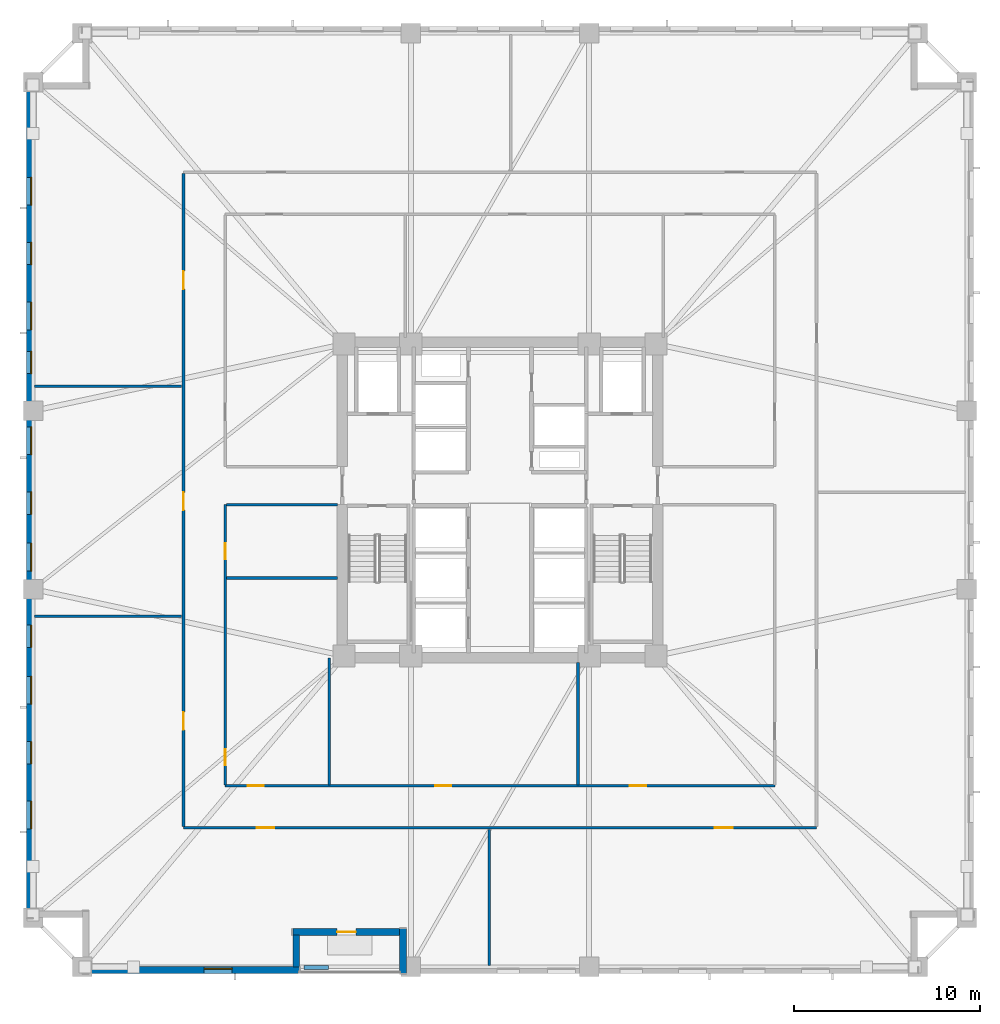
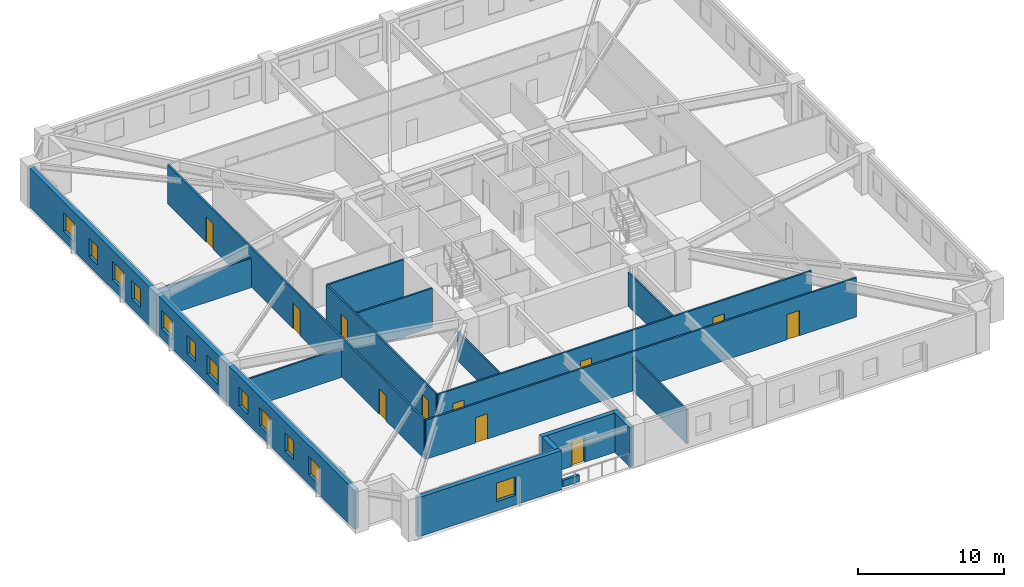
# One storey, part 2 of 10: 17 walls, 12 windows, 11 doors, 23 openings.
"""IFC4 building model written with IfcOpenShell, lengths in metres."""

import ifcopenshell
import ifcopenshell.guid

model = None  # the IFC model being written
_history = None  # IfcOwnerHistory: only IFC2X3 demands one
_inside = {}  # id of a spatial element -> (the spatial element, [elements in it])
_under = {}  # id of a project, library or spatial element -> (it, [spatial elements below it])
_declared = {}  # id of a project -> (the project, [libraries it declares])
_typed = {}  # id of a type object -> (the type object, [elements of that type])
_made_of = {}  # id of a material, layer set ... -> (it, [elements and type objects made of it])


def new_model(schema):
    """Start an empty IFC model of exactly this schema.

    Asked for "IFC4X3", IfcOpenShell would pick the latest addendum, in which some entities
    have other attributes; the version numbers below select the first issue.
    IFC2X3 requires an IfcOwnerHistory on every rooted entity: one is made here for all.
    """
    global model, _history
    if schema == "IFC4X3":
        model = ifcopenshell.file(schema_version=(4, 3, 0, 0))
    else:
        model = ifcopenshell.file(schema=schema)
    _inside.clear()
    _under.clear()
    _declared.clear()
    _typed.clear()
    _made_of.clear()
    _history = None
    if model.schema == "IFC2X3":
        org = make("IfcOrganization", Name="unknown")
        user = make(
            "IfcPersonAndOrganization",
            ThePerson=make("IfcPerson", FamilyName="unknown"),
            TheOrganization=org,
        )
        app = make(
            "IfcApplication",
            ApplicationDeveloper=org,
            Version="unknown",
            ApplicationFullName="unknown",
            ApplicationIdentifier="unknown",
        )
        _history = make(
            "IfcOwnerHistory",
            OwningUser=user,
            OwningApplication=app,
            ChangeAction="ADDED",
            CreationDate=0,
        )
    return model


def make(cls, **values):
    """One entity of the class cls with the attributes given. An attribute that is None is left unset."""
    return model.create_entity(
        cls, **{name: value for name, value in values.items() if value is not None}
    )


def rooted(cls, **values):
    """An entity with a GlobalId (a new one), such as an element, a storey or a relation."""
    return make(cls, GlobalId=ifcopenshell.guid.new(), OwnerHistory=_history, **values)


def si_unit(unit_type, name, prefix=None):
    """IfcSIUnit, for example si_unit("LENGTHUNIT", "METRE", prefix="MILLI")."""
    return make("IfcSIUnit", UnitType=unit_type, Prefix=prefix, Name=name)


def assignment(units):
    """IfcUnitAssignment: the units of a project."""
    return None if units is None else make("IfcUnitAssignment", Units=units)


def point(xyz):
    """IfcCartesianPoint."""
    return None if xyz is None else make("IfcCartesianPoint", Coordinates=xyz)


def direction(xyz):
    """IfcDirection."""
    return None if xyz is None else make("IfcDirection", DirectionRatios=xyz)


def frame(location, z_axis=None, x_axis=None):
    """IfcAxis2Placement3D, a coordinate frame: its origin and axes. An axis left out is left unset."""
    return make(
        "IfcAxis2Placement3D",
        Location=point(location),
        Axis=direction(z_axis),
        RefDirection=direction(x_axis),
    )


def frame_2d(location, x_axis=None):
    """IfcAxis2Placement2D, a coordinate frame in the plane: its origin and x axis."""
    return make(
        "IfcAxis2Placement2D", Location=point(location), RefDirection=direction(x_axis)
    )


def origin():
    """The frame at (0, 0, 0) with its axes left unset."""
    return frame((0.0, 0.0, 0.0))


def place(relative_to, where):
    """IfcLocalPlacement: puts the frame where relative to a parent placement (None: the world)."""
    return make(
        "IfcLocalPlacement", PlacementRelTo=relative_to, RelativePlacement=where
    )


def context(
    kind, dimensions, precision=None, world=None, true_north=None, identifier=None
):
    """IfcGeometricRepresentationContext, for example the 3D "Model" context."""
    return make(
        "IfcGeometricRepresentationContext",
        ContextIdentifier=identifier,
        ContextType=kind,
        CoordinateSpaceDimension=dimensions,
        Precision=precision,
        WorldCoordinateSystem=world,
        TrueNorth=true_north,
    )


def subcontext(parent, identifier, kind, view, scale=None):
    """IfcGeometricRepresentationSubContext, for example "Body" below "Model"."""
    return make(
        "IfcGeometricRepresentationSubContext",
        ContextIdentifier=identifier,
        ContextType=kind,
        ParentContext=parent,
        TargetScale=scale,
        TargetView=view,
    )


def project(units=None, contexts=None):
    """IfcProject with its units and contexts."""
    return rooted(
        "IfcProject",
        Name="project",
        RepresentationContexts=contexts,
        UnitsInContext=assignment(units),
    )


def spatial(cls, under=None, at=None, **own):
    """A site, building, storey or space (cls), placed at a placement, below another one or the project."""
    s = rooted(cls, ObjectPlacement=at, **own)
    if under is not None:
        _under.setdefault(under.id(), (under, []))[1].append(s)
    return s


def profile(cls, at=None, kind="AREA", **sizes):
    """A parametric profile (cls). Its sizes go by their IFC names, for example OverallWidth=200.0."""
    return make(cls, ProfileType=kind, Position=at, **sizes)


def rectangle(**sizes):
    """IfcRectangleProfileDef."""
    return profile("IfcRectangleProfileDef", **sizes)


def extrude(swept, where, along, depth):
    """IfcExtrudedAreaSolid: the profile swept, set in the frame where, extruded along a direction by depth."""
    return make(
        "IfcExtrudedAreaSolid",
        SweptArea=swept,
        Position=where,
        ExtrudedDirection=direction(along),
        Depth=depth,
    )


def shape(context_of_items, identifier, shape_type, items):
    """IfcShapeRepresentation: the items that make up one representation, for example the "Body"."""
    return make(
        "IfcShapeRepresentation",
        ContextOfItems=context_of_items,
        RepresentationIdentifier=identifier,
        RepresentationType=shape_type,
        Items=items,
    )


def material(Name=None, Category=None):
    """IfcMaterial."""
    return make("IfcMaterial", Name=Name, Category=Category)


def layer(
    of_material, thickness, ventilated=None, Name=None, Category=None, Priority=None
):
    """IfcMaterialLayer: one layer of a wall or slab, of a material (None: an air gap)."""
    return make(
        "IfcMaterialLayer",
        Material=of_material,
        LayerThickness=thickness,
        IsVentilated=ventilated,
        Name=Name,
        Category=Category,
        Priority=Priority,
    )


def layer_set(layers, Name=None):
    """IfcMaterialLayerSet."""
    return make("IfcMaterialLayerSet", MaterialLayers=layers, LayerSetName=Name)


def made_of(thing, what):
    """Note that an element or type object is made of a material, layer set ...; save() writes the relation."""
    if what is not None:
        _made_of.setdefault(what.id(), (what, []))[1].append(thing)
    return thing


def type_object(cls, material=None, **own):
    """A type object (cls), such as IfcWallType, which elements share."""
    return made_of(rooted(cls, **own), material)


def element(
    cls,
    number,
    at=None,
    inside=None,
    cuts=None,
    type_object=None,
    material=None,
    context=None,
    identifier="Body",
    shape_type=None,
    held_by="IfcProductDefinitionShape",
    body=None,
    shapes=None,
    **own,
):
    """One element of the class cls, such as IfcWall. Its Tag is "e" and its number.

    at: its placement. inside: the storey or other place that contains it. cuts: it is an
    opening in that element (IfcRelVoidsElement). A single representation is given by context,
    identifier, shape_type and body (its items); several are given by shapes. held_by: the class
    of the entity that holds the representations. save() writes the other relations.
    """
    e = rooted(cls, Tag="e%d" % number, ObjectPlacement=at, **own)
    if body is not None:
        shapes = [shape(context, identifier, shape_type, body)]
    if shapes is not None:
        e.Representation = make(held_by, Representations=shapes)
    if inside is not None:
        _inside.setdefault(inside.id(), (inside, []))[1].append(e)
    if cuts is not None:
        rooted(
            "IfcRelVoidsElement", RelatingBuildingElement=cuts, RelatedOpeningElement=e
        )
    if type_object is not None:
        _typed.setdefault(type_object.id(), (type_object, []))[1].append(e)
    return made_of(e, material)


def fill(opening, filler):
    """IfcRelFillsElement: the door or window that sits in an opening."""
    return rooted(
        "IfcRelFillsElement",
        RelatingOpeningElement=opening,
        RelatedBuildingElement=filler,
    )


def aggregate(whole, parts):
    """IfcRelAggregates: a whole, such as a stair, and the parts it consists of."""
    return rooted("IfcRelAggregates", RelatingObject=whole, RelatedObjects=parts)


def save(model, path):
    """Write the relations noted so far, then the file.

    IfcRelAggregates (storeys below a building ...), IfcRelContainedInSpatialStructure (elements
    in a storey), IfcRelDefinesByType, IfcRelAssociatesMaterial and IfcRelDeclares: one each for
    every whole, place, type object, material and project.
    """
    for whole, parts in _under.values():
        aggregate(whole, parts)
    for where, things in _inside.values():
        rooted(
            "IfcRelContainedInSpatialStructure",
            RelatedElements=things,
            RelatingStructure=where,
        )
    for kind, things in _typed.values():
        rooted("IfcRelDefinesByType", RelatedObjects=things, RelatingType=kind)
    for what, things in _made_of.values():
        rooted("IfcRelAssociatesMaterial", RelatedObjects=things, RelatingMaterial=what)
    for by, libraries in _declared.values():
        rooted("IfcRelDeclares", RelatingContext=by, RelatedDefinitions=libraries)
    model.write(path)


model = new_model("IFC4")

# Units and contexts
model_context = context("Model", 3, precision=1e-05, world=origin(), true_north=direction((0.0, 1.0)))
body_context = subcontext(model_context, "Body", "Model", "MODEL_VIEW")
ifc_project = project(units=[si_unit("LENGTHUNIT", "METRE"), si_unit("AREAUNIT", "SQUARE_METRE"), si_unit("VOLUMEUNIT", "CUBIC_METRE"), si_unit("PLANEANGLEUNIT", "RADIAN"), si_unit("MASSUNIT", "GRAM", prefix="KILO")], contexts=[model_context])

# Site, building, storey
site_placement = place(None, origin())
site = spatial("IfcSite", under=ifc_project, at=site_placement, CompositionType="ELEMENT")
building_placement = place(site_placement, origin())
building = spatial("IfcBuilding", under=site, at=building_placement, Name="Cairnveth Concourse Tower", CompositionType="ELEMENT")
storey_placement = place(building_placement, frame((0.0, 0.0, 30.5)))
storey = spatial("IfcBuildingStorey", under=building, at=storey_placement, Name="L07", CompositionType="ELEMENT", Elevation=30.5)

# Wall, openings, doors
ifc_material_1 = material(Name="Gypsum Plasterboard Partition", Category="gypsum")
ifc_layer_1 = layer(ifc_material_1, 0.139892578125)
ifc_layer_set_1 = layer_set([ifc_layer_1], Name="Gypsum Plasterboard Partition")
wall_type_1 = type_object("IfcWallType", Name="GYPSUM STUD PARTITION 140", PredefinedType="PARTITIONING", material=ifc_layer_set_1)
wall_1_placement = place(storey_placement, frame((34.949951171875, 21.35009765625, 0.0), z_axis=(0.0, 0.0, 1.0), x_axis=(1.0, 0.0, 0.0)))
wall_1 = element("IfcWall", 1, at=wall_1_placement, inside=storey, type_object=wall_type_1, Name="Interior Wall IW-L07-037", PredefinedType="PARTITIONING", context=body_context, shape_type="SweptSolid", body=[
    extrude(rectangle(XDim=34.10009765625, YDim=0.139892578125, at=frame_2d((17.050048828125, 0.0))), origin(), (0.0, 0.0, 1.0), 3.280029296875),
])
opening_1_placement = place(wall_1_placement, frame((3.9375, 0.0, 0.0)))
opening_1 = element("IfcOpeningElement", 2, at=opening_1_placement, cuts=wall_1, Name="Opening ID11", PredefinedType="OPENING", context=body_context, shape_type="SweptSolid", body=[
    extrude(rectangle(XDim=0.9599609375, YDim=2.1201171875, at=frame_2d((0.47998046875, 1.06005859375))), frame((0.0, 0.079833984375, 0.0), z_axis=(0.0, -1.0, 0.0), x_axis=(1.0, 0.0, 0.0)), (0.0, 0.0, 1.0), 0.159912109375),
])
opening_2_placement = place(wall_1_placement, frame((28.617431640625, 0.0, 0.0)))
opening_2 = element("IfcOpeningElement", 3, at=opening_2_placement, cuts=wall_1, Name="Opening ID11", PredefinedType="OPENING", context=body_context, shape_type="SweptSolid", body=[
    extrude(rectangle(XDim=0.9599609375, YDim=2.1201171875, at=frame_2d((0.47998046875, 1.06005859375))), frame((0.0, 0.079833984375, 0.0), z_axis=(0.0, -1.0, 0.0), x_axis=(1.0, 0.0, 0.0)), (0.0, 0.0, 1.0), 0.159912109375),
])
ifc_material_2 = material(Name="Solid Core Hardwood Timber Leaf", Category="wood")
door_type_1 = type_object("IfcDoorType", Name="INTERIOR SINGLE DOOR 960X2150", OperationType="NOTDEFINED", PredefinedType="DOOR", material=ifc_material_2)
door_1_placement = place(opening_1_placement, origin())
door_1 = element("IfcDoor", 4, at=door_1_placement, inside=storey, type_object=door_type_1, Name="Office Door L07-S1", OperationType="SINGLE_SWING_RIGHT", OverallHeight=2.1201171875, OverallWidth=0.9599609375, PredefinedType="DOOR", context=body_context, shape_type="SweptSolid", body=[
    extrude(rectangle(XDim=0.9599609375, YDim=2.1201171875, at=frame_2d((0.47998046875, 1.06005859375))), frame((0.0, 0.02490234375, 0.0), z_axis=(0.0, -1.0, 0.0), x_axis=(1.0, 0.0, 0.0)), (0.0, 0.0, 1.0), 0.050048828125),
])
fill(opening_1, door_1)
door_2_placement = place(opening_2_placement, origin())
door_2 = element("IfcDoor", 5, at=door_2_placement, inside=storey, type_object=door_type_1, Name="Office Door L07-S2", OperationType="SINGLE_SWING_LEFT", OverallHeight=2.1201171875, OverallWidth=0.9599609375, PredefinedType="DOOR", context=body_context, shape_type="SweptSolid", body=[
    extrude(rectangle(XDim=0.9599609375, YDim=2.1201171875, at=frame_2d((0.47998046875, 1.06005859375))), frame((0.0, 0.02490234375, 0.0), z_axis=(0.0, -1.0, 0.0), x_axis=(1.0, 0.0, 0.0)), (0.0, 0.0, 1.0), 0.050048828125),
])
fill(opening_2, door_2)

wall_2_placement = place(storey_placement, frame((34.949951171875, 21.405029296875, 0.0), z_axis=(0.0, 0.0, 1.0), x_axis=(0.0, 1.0, 0.0)))
wall_2 = element("IfcWall", 6, at=wall_2_placement, inside=storey, type_object=wall_type_1, Name="Interior Wall IW-L07-039", PredefinedType="PARTITIONING", context=body_context, shape_type="SweptSolid", body=[
    extrude(rectangle(XDim=35.18994140625, YDim=0.139892578125, at=frame_2d((17.594970703125, 0.0))), origin(), (0.0, 0.0, 1.0), 3.280029296875),
])
opening_3_placement = place(wall_2_placement, frame((5.210205078125, 0.0, 0.0)))
opening_3 = element("IfcOpeningElement", 7, at=opening_3_placement, cuts=wall_2, Name="Opening ID11", PredefinedType="OPENING", context=body_context, shape_type="SweptSolid", body=[
    extrude(rectangle(XDim=0.9599609375, YDim=2.1201171875, at=frame_2d((0.47998046875, 1.06005859375))), frame((0.0, 0.079833984375, 0.0), z_axis=(0.0, -1.0, 0.0), x_axis=(1.0, 0.0, 0.0)), (0.0, 0.0, 1.0), 0.159912109375),
])
opening_4_placement = place(wall_2_placement, frame((17.052001953125, 0.0, 0.0)))
opening_4 = element("IfcOpeningElement", 8, at=opening_4_placement, cuts=wall_2, Name="Opening ID11", PredefinedType="OPENING", context=body_context, shape_type="SweptSolid", body=[
    extrude(rectangle(XDim=0.9599609375, YDim=2.1201171875, at=frame_2d((0.47998046875, 1.06005859375))), frame((0.0, 0.079833984375, 0.0), z_axis=(0.0, -1.0, 0.0), x_axis=(1.0, 0.0, 0.0)), (0.0, 0.0, 1.0), 0.159912109375),
])
opening_5_placement = place(wall_2_placement, frame((28.956787109375, 0.0, 0.0)))
opening_5 = element("IfcOpeningElement", 9, at=opening_5_placement, cuts=wall_2, Name="Opening ID11", PredefinedType="OPENING", context=body_context, shape_type="SweptSolid", body=[
    extrude(rectangle(XDim=0.9599609375, YDim=2.1201171875, at=frame_2d((0.47998046875, 1.06005859375))), frame((0.0, 0.079833984375, 0.0), z_axis=(0.0, -1.0, 0.0), x_axis=(1.0, 0.0, 0.0)), (0.0, 0.0, 1.0), 0.159912109375),
])
door_3_placement = place(opening_3_placement, origin())
door_3 = element("IfcDoor", 10, at=door_3_placement, inside=storey, type_object=door_type_1, Name="Office Door L07-W1", OperationType="SINGLE_SWING_RIGHT", OverallHeight=2.1201171875, OverallWidth=0.9599609375, PredefinedType="DOOR", context=body_context, shape_type="SweptSolid", body=[
    extrude(rectangle(XDim=0.9599609375, YDim=2.1201171875, at=frame_2d((0.47998046875, 1.06005859375))), frame((0.0, 0.02490234375, 0.0), z_axis=(0.0, -1.0, 0.0), x_axis=(1.0, 0.0, 0.0)), (0.0, 0.0, 1.0), 0.050048828125),
])
fill(opening_3, door_3)
door_4_placement = place(opening_4_placement, origin())
door_4 = element("IfcDoor", 11, at=door_4_placement, inside=storey, type_object=door_type_1, Name="Office Door L07-W2", OperationType="SINGLE_SWING_LEFT", OverallHeight=2.1201171875, OverallWidth=0.9599609375, PredefinedType="DOOR", context=body_context, shape_type="SweptSolid", body=[
    extrude(rectangle(XDim=0.9599609375, YDim=2.1201171875, at=frame_2d((0.47998046875, 1.06005859375))), frame((0.0, 0.02490234375, 0.0), z_axis=(0.0, -1.0, 0.0), x_axis=(1.0, 0.0, 0.0)), (0.0, 0.0, 1.0), 0.050048828125),
])
fill(opening_4, door_4)
door_5_placement = place(opening_5_placement, origin())
door_5 = element("IfcDoor", 12, at=door_5_placement, inside=storey, type_object=door_type_1, Name="Office Door L07-W3", OperationType="SINGLE_SWING_RIGHT", OverallHeight=2.1201171875, OverallWidth=0.9599609375, PredefinedType="DOOR", context=body_context, shape_type="SweptSolid", body=[
    extrude(rectangle(XDim=0.9599609375, YDim=2.1201171875, at=frame_2d((0.47998046875, 1.06005859375))), frame((0.0, 0.02490234375, 0.0), z_axis=(0.0, -1.0, 0.0), x_axis=(1.0, 0.0, 0.0)), (0.0, 0.0, 1.0), 0.050048828125),
])
fill(opening_5, door_5)

wall_3_placement = place(storey_placement, frame((37.199951171875, 23.60009765625, 0.0), z_axis=(0.0, 0.0, 1.0), x_axis=(1.0, 0.0, 0.0)))
wall_3 = element("IfcWall", 13, at=wall_3_placement, inside=storey, type_object=wall_type_1, Name="Interior Wall IW-L07-041", PredefinedType="PARTITIONING", context=body_context, shape_type="SweptSolid", body=[
    extrude(rectangle(XDim=29.60009765625, YDim=0.139892578125, at=frame_2d((14.800048828125, 0.0))), origin(), (0.0, 0.0, 1.0), 3.280029296875),
])
opening_6_placement = place(wall_3_placement, frame((1.199951171875, 0.0, 0.0)))
opening_6 = element("IfcOpeningElement", 14, at=opening_6_placement, cuts=wall_3, Name="Opening ID18", PredefinedType="OPENING", context=body_context, shape_type="SweptSolid", body=[
    extrude(rectangle(XDim=0.8798828125, YDim=2.10009765625, at=frame_2d((0.43994140625, 1.050048828125))), frame((0.0, 0.079833984375, 0.0), z_axis=(0.0, -1.0, 0.0), x_axis=(1.0, 0.0, 0.0)), (0.0, 0.0, 1.0), 0.159912109375),
])
opening_7_placement = place(wall_3_placement, frame((11.300048828125, 0.0, 0.0)))
opening_7 = element("IfcOpeningElement", 15, at=opening_7_placement, cuts=wall_3, Name="Opening ID18", PredefinedType="OPENING", context=body_context, shape_type="SweptSolid", body=[
    extrude(rectangle(XDim=0.8798828125, YDim=2.10009765625, at=frame_2d((0.43994140625, 1.050048828125))), frame((0.0, 0.079833984375, 0.0), z_axis=(0.0, -1.0, 0.0), x_axis=(1.0, 0.0, 0.0)), (0.0, 0.0, 1.0), 0.159912109375),
])
opening_8_placement = place(wall_3_placement, frame((21.800048828125, 0.0, 0.0)))
opening_8 = element("IfcOpeningElement", 16, at=opening_8_placement, cuts=wall_3, Name="Opening ID18", PredefinedType="OPENING", context=body_context, shape_type="SweptSolid", body=[
    extrude(rectangle(XDim=0.8798828125, YDim=2.10009765625, at=frame_2d((0.43994140625, 1.050048828125))), frame((0.0, 0.079833984375, 0.0), z_axis=(0.0, -1.0, 0.0), x_axis=(1.0, 0.0, 0.0)), (0.0, 0.0, 1.0), 0.159912109375),
])
door_type_2 = type_object("IfcDoorType", Name="INTERIOR SINGLE DOOR 880X2100", OperationType="NOTDEFINED", PredefinedType="DOOR", material=ifc_material_2)
door_6_placement = place(opening_6_placement, origin())
door_6 = element("IfcDoor", 17, at=door_6_placement, inside=storey, type_object=door_type_2, Name="Interior Door DR-L07-013", OperationType="SINGLE_SWING_LEFT", OverallHeight=2.10009765625, OverallWidth=0.8798828125, PredefinedType="DOOR", context=body_context, shape_type="SweptSolid", body=[
    extrude(rectangle(XDim=0.8798828125, YDim=2.10009765625, at=frame_2d((0.43994140625, 1.050048828125))), frame((0.0, 0.02490234375, 0.0), z_axis=(0.0, -1.0, 0.0), x_axis=(1.0, 0.0, 0.0)), (0.0, 0.0, 1.0), 0.050048828125),
])
fill(opening_6, door_6)
door_7_placement = place(opening_7_placement, origin())
door_7 = element("IfcDoor", 18, at=door_7_placement, inside=storey, type_object=door_type_2, Name="Interior Door DR-L07-014", OperationType="SINGLE_SWING_RIGHT", OverallHeight=2.10009765625, OverallWidth=0.8798828125, PredefinedType="DOOR", context=body_context, shape_type="SweptSolid", body=[
    extrude(rectangle(XDim=0.8798828125, YDim=2.10009765625, at=frame_2d((0.43994140625, 1.050048828125))), frame((0.0, 0.02490234375, 0.0), z_axis=(0.0, -1.0, 0.0), x_axis=(1.0, 0.0, 0.0)), (0.0, 0.0, 1.0), 0.050048828125),
])
fill(opening_7, door_7)
door_8_placement = place(opening_8_placement, origin())
door_8 = element("IfcDoor", 19, at=door_8_placement, inside=storey, type_object=door_type_2, Name="Interior Door DR-L07-015", OperationType="SINGLE_SWING_LEFT", OverallHeight=2.10009765625, OverallWidth=0.8798828125, PredefinedType="DOOR", context=body_context, shape_type="SweptSolid", body=[
    extrude(rectangle(XDim=0.8798828125, YDim=2.10009765625, at=frame_2d((0.43994140625, 1.050048828125))), frame((0.0, 0.02490234375, 0.0), z_axis=(0.0, -1.0, 0.0), x_axis=(1.0, 0.0, 0.0)), (0.0, 0.0, 1.0), 0.050048828125),
])
fill(opening_8, door_8)

wall_4_placement = place(storey_placement, frame((37.199951171875, 23.655029296875, 0.0), z_axis=(0.0, 0.0, 1.0), x_axis=(0.0, 1.0, 0.0)))
wall_4 = element("IfcWall", 20, at=wall_4_placement, inside=storey, type_object=wall_type_1, Name="Interior Wall IW-L07-043", PredefinedType="PARTITIONING", context=body_context, shape_type="SweptSolid", body=[
    extrude(rectangle(XDim=15.094970703125, YDim=0.139892578125, at=frame_2d((7.54736328125, 0.0))), origin(), (0.0, 0.0, 1.0), 3.280029296875),
])
opening_9_placement = place(wall_4_placement, frame((1.044921875, 0.0, 0.0)))
opening_9 = element("IfcOpeningElement", 21, at=opening_9_placement, cuts=wall_4, Name="Opening ID18", PredefinedType="OPENING", context=body_context, shape_type="SweptSolid", body=[
    extrude(rectangle(XDim=0.8798828125, YDim=2.10009765625, at=frame_2d((0.43994140625, 1.050048828125))), frame((0.0, 0.079833984375, 0.0), z_axis=(0.0, -1.0, 0.0), x_axis=(1.0, 0.0, 0.0)), (0.0, 0.0, 1.0), 0.159912109375),
])
opening_10_placement = place(wall_4_placement, frame((12.14501953125, 0.0, 0.0)))
opening_10 = element("IfcOpeningElement", 22, at=opening_10_placement, cuts=wall_4, Name="Opening ID18", PredefinedType="OPENING", context=body_context, shape_type="SweptSolid", body=[
    extrude(rectangle(XDim=0.8798828125, YDim=2.10009765625, at=frame_2d((0.43994140625, 1.050048828125))), frame((0.0, 0.079833984375, 0.0), z_axis=(0.0, -1.0, 0.0), x_axis=(1.0, 0.0, 0.0)), (0.0, 0.0, 1.0), 0.159912109375),
])
door_9_placement = place(opening_9_placement, origin())
door_9 = element("IfcDoor", 23, at=door_9_placement, inside=storey, type_object=door_type_2, Name="Interior Door DR-L07-019", OperationType="SINGLE_SWING_LEFT", OverallHeight=2.10009765625, OverallWidth=0.8798828125, PredefinedType="DOOR", context=body_context, shape_type="SweptSolid", body=[
    extrude(rectangle(XDim=0.8798828125, YDim=2.10009765625, at=frame_2d((0.43994140625, 1.050048828125))), frame((0.0, 0.02490234375, 0.0), z_axis=(0.0, -1.0, 0.0), x_axis=(1.0, 0.0, 0.0)), (0.0, 0.0, 1.0), 0.050048828125),
])
fill(opening_9, door_9)
door_10_placement = place(opening_10_placement, origin())
door_10 = element("IfcDoor", 24, at=door_10_placement, inside=storey, type_object=door_type_2, Name="Interior Door DR-L07-020", OperationType="SINGLE_SWING_RIGHT", OverallHeight=2.10009765625, OverallWidth=0.8798828125, PredefinedType="DOOR", context=body_context, shape_type="SweptSolid", body=[
    extrude(rectangle(XDim=0.8798828125, YDim=2.10009765625, at=frame_2d((0.43994140625, 1.050048828125))), frame((0.0, 0.02490234375, 0.0), z_axis=(0.0, -1.0, 0.0), x_axis=(1.0, 0.0, 0.0)), (0.0, 0.0, 1.0), 0.050048828125),
])
fill(opening_10, door_10)

# Walls
wall_5_placement = place(storey_placement, frame((37.2548828125, 38.75, 0.0), z_axis=(0.0, 0.0, 1.0), x_axis=(1.0, 0.0, 0.0)))
element("IfcWall", 25, at=wall_5_placement, inside=storey, type_object=wall_type_1, Name="Interior Wall IW-L07-045", PredefinedType="PARTITIONING", context=body_context, shape_type="SweptSolid", body=[
    extrude(rectangle(XDim=5.985107421875, YDim=0.139892578125, at=frame_2d((2.99267578125, 0.0))), origin(), (0.0, 0.0, 1.0), 3.280029296875),
])
wall_6_placement = place(storey_placement, frame((42.800048828125, 23.655029296875, 0.0), z_axis=(0.0, 0.0, 1.0), x_axis=(0.0, 1.0, 0.0)))
element("IfcWall", 26, at=wall_6_placement, inside=storey, type_object=wall_type_1, Name="Interior Wall IW-L07-051", PredefinedType="PARTITIONING", context=body_context, shape_type="SweptSolid", body=[
    extrude(rectangle(XDim=6.844970703125, YDim=0.139892578125, at=frame_2d((3.42236328125, 0.0))), origin(), (0.0, 0.0, 1.0), 2.43896484375),
])
wall_7_placement = place(storey_placement, frame((56.199951171875, 23.655029296875, 0.0), z_axis=(0.0, 0.0, 1.0), x_axis=(0.0, 1.0, 0.0)))
element("IfcWall", 27, at=wall_7_placement, inside=storey, type_object=wall_type_1, Name="Interior Wall IW-L07-052", PredefinedType="PARTITIONING", context=body_context, shape_type="SweptSolid", body=[
    extrude(rectangle(XDim=6.5849609375, YDim=0.139892578125, at=frame_2d((3.29248046875, 0.0))), origin(), (0.0, 0.0, 1.0), 2.84912109375),
])
wall_8_placement = place(storey_placement, frame((37.2548828125, 34.800048828125, 0.0), z_axis=(0.0, 0.0, 1.0), x_axis=(1.0, 0.0, 0.0)))
element("IfcWall", 28, at=wall_8_placement, inside=storey, type_object=wall_type_1, Name="Interior Wall IW-L07-055", PredefinedType="PARTITIONING", context=body_context, shape_type="SweptSolid", body=[
    extrude(rectangle(XDim=5.985107421875, YDim=0.139892578125, at=frame_2d((2.99267578125, 0.0))), origin(), (0.0, 0.0, 1.0), 3.280029296875),
])
wall_9_placement = place(storey_placement, frame((51.4150390625, 13.919921875, 0.0), z_axis=(0.0, 0.0, 1.0), x_axis=(0.0, 1.0, 0.0)))
element("IfcWall", 29, at=wall_9_placement, inside=storey, type_object=wall_type_1, Name="Interior Wall IW-L07-056", PredefinedType="PARTITIONING", context=body_context, shape_type="SweptSolid", body=[
    extrude(rectangle(XDim=7.330078125, YDim=0.139892578125, at=frame_2d((3.6650390625, 0.0))), origin(), (0.0, 0.0, 1.0), 2.84912109375),
])
for number, where, z_axis, x_axis, name in (
    (30, (26.919921875, 32.740478515625, 0.0), (0.0, 0.0, 1.0), (1.0, 0.0, 0.0), "Interior Wall IW-L07-058"),
    (31, (26.919921875, 45.133544921875, 0.0), (0.0, 0.0, 1.0), (1.0, 0.0, 0.0), "Interior Wall IW-L07-059"),
):
    element("IfcWall", number, at=place(storey_placement, frame(where, z_axis=z_axis, x_axis=x_axis)), inside=storey, type_object=wall_type_1, Name=name, PredefinedType="PARTITIONING", context=body_context, shape_type="SweptSolid", body=[
        extrude(rectangle(XDim=7.93017578125, YDim=0.139892578125, at=frame_2d((3.965087890625, 0.0))), origin(), (0.0, 0.0, 1.0), 2.43896484375),
    ])
ifc_material_3 = material(Name="Dressed Melbourne Bluestone Cladding", Category="masonry")
ifc_layer_2 = layer(ifc_material_3, 0.219970703125)
ifc_layer_set_2 = layer_set([ifc_layer_2], Name="Dressed Melbourne Bluestone Cladding")
wall_type_2 = type_object("IfcWallType", Name="TERRACE PLANTER CURB WALL 220", PredefinedType="PARAPET", material=ifc_layer_set_2)
wall_10_placement = place(storey_placement, frame((41.449951171875, 13.820068359375, 0.0), z_axis=(0.0, 0.0, 1.0), x_axis=(1.0, 0.0, 0.0)))
element("IfcWall", 32, at=wall_10_placement, inside=storey, type_object=wall_type_2, Name="Exterior Wall PLNT-L07-TERR", PredefinedType="PARAPET", context=body_context, shape_type="SweptSolid", body=[
    extrude(rectangle(XDim=1.300048828125, YDim=0.219970703125, at=frame_2d((0.64990234375, 0.0))), origin(), (0.0, 0.0, 1.0), 0.550048828125),
])

# Wall, opening, window
ifc_material_4 = material(Name="Hawthorn Red-Ochre Fired Clay Brick Masonry", Category="masonry")
ifc_layer_3 = layer(ifc_material_4, 0.360107421875)
ifc_layer_set_3 = layer_set([ifc_layer_3], Name="Hawthorn Red-Ochre Fired Clay Brick Masonry")
wall_type_3 = type_object("IfcWallType", Name="ZONE 1 BRICK PIER SPANDREL WALL 360", PredefinedType="SOLIDWALL", material=ifc_layer_set_3)
wall_11_placement = place(storey_placement, frame((41.199951171875, 13.679931640625, 0.0), z_axis=(0.0, 0.0, 1.0), x_axis=(-1.0, 0.0, 0.0)))
wall_11 = element("IfcWall", 33, at=wall_11_placement, inside=storey, type_object=wall_type_3, Name="Exterior Wall EW-L07-S00", PredefinedType="SOLIDWALL", context=body_context, shape_type="SweptSolid", body=[
    extrude(rectangle(XDim=11.362060546875, YDim=0.360107421875, at=frame_2d((5.68115234375, 0.0))), origin(), (0.0, 0.0, 1.0), 3.280029296875),
])
opening_11_placement = place(wall_11_placement, frame((3.631103515625, 0.0, 0.800048828125)))
opening_11 = element("IfcOpeningElement", 34, at=opening_11_placement, cuts=wall_11, Name="Opening W03", PredefinedType="OPENING", context=body_context, shape_type="SweptSolid", body=[
    extrude(rectangle(XDim=1.5, YDim=1.5439453125, at=frame_2d((0.75, 0.77197265625))), frame((0.0, 0.18994140625, 0.0), z_axis=(0.0, -1.0, 0.0), x_axis=(1.0, 0.0, 0.0)), (0.0, 0.0, 1.0), 0.380126953125),
])
ifc_material_5 = material(Name="Double Glazed Low-E Clear Glass", Category="glass")
window_type_1 = type_object("IfcWindowType", Name="DEEP-SET GOTHIC LANCET WINDOW 1500X1800", PartitioningType="DOUBLE_PANEL_VERTICAL", PredefinedType="WINDOW", material=ifc_material_5)
window_1_placement = place(opening_11_placement, origin())
window_1 = element("IfcWindow", 35, at=window_1_placement, inside=storey, type_object=window_type_1, Name="Gothic Lancet Window L07-0-1", OverallHeight=1.5439453125, OverallWidth=1.5, PartitioningType="SINGLE_PANEL", PredefinedType="WINDOW", context=body_context, shape_type="SweptSolid", body=[
    extrude(rectangle(XDim=1.5, YDim=1.5439453125, at=frame_2d((0.75, 0.77197265625))), frame((0.0, -0.050048828125, 0.0), z_axis=(0.0, -1.0, 0.0), x_axis=(1.0, 0.0, 0.0)), (0.0, 0.0, 1.0), 0.06005859375),
])
fill(opening_11, window_1)

# Wall, openings, windows
wall_12_placement = place(storey_placement, frame((26.679931640625, 16.5, 0.0), z_axis=(0.0, 0.0, 1.0), x_axis=(0.0, 1.0, 0.0)))
wall_12 = element("IfcWall", 36, at=wall_12_placement, inside=storey, type_object=wall_type_3, Name="Exterior Wall EW-L07-S03", PredefinedType="SOLIDWALL", context=body_context, shape_type="SweptSolid", body=[
    extrude(rectangle(XDim=44.662109375, YDim=0.360107421875, at=frame_2d((22.3310546875, 0.0))), origin(), (0.0, 0.0, 1.0), 3.280029296875),
])
opening_12_placement = place(wall_12_placement, frame((4.780029296875, 0.0, 0.800048828125)))
opening_12 = element("IfcOpeningElement", 37, at=opening_12_placement, cuts=wall_12, Name="Opening W03", PredefinedType="OPENING", context=body_context, shape_type="SweptSolid", body=[
    extrude(rectangle(XDim=1.5, YDim=1.5439453125, at=frame_2d((0.75, 0.77197265625))), frame((0.0, 0.18994140625, 0.0), z_axis=(0.0, -1.0, 0.0), x_axis=(1.0, 0.0, 0.0)), (0.0, 0.0, 1.0), 0.380126953125),
])
opening_13_placement = place(wall_12_placement, frame((8.290283203125, 0.0, 0.800048828125)))
opening_13 = element("IfcOpeningElement", 38, at=opening_13_placement, cuts=wall_12, Name="Opening W01", PredefinedType="OPENING", context=body_context, shape_type="SweptSolid", body=[
    extrude(rectangle(XDim=1.199951171875, YDim=1.5439453125, at=frame_2d((0.60009765625, 0.77197265625))), frame((0.0, 0.18994140625, 0.0), z_axis=(0.0, -1.0, 0.0), x_axis=(1.0, 0.0, 0.0)), (0.0, 0.0, 1.0), 0.380126953125),
])
opening_14_placement = place(wall_12_placement, frame((11.50048828125, 0.0, 0.800048828125)))
opening_14 = element("IfcOpeningElement", 39, at=opening_14_placement, cuts=wall_12, Name="Opening W03", PredefinedType="OPENING", context=body_context, shape_type="SweptSolid", body=[
    extrude(rectangle(XDim=1.5, YDim=1.5439453125, at=frame_2d((0.75, 0.77197265625))), frame((0.0, 0.18994140625, 0.0), z_axis=(0.0, -1.0, 0.0), x_axis=(1.0, 0.0, 0.0)), (0.0, 0.0, 1.0), 0.380126953125),
])
opening_15_placement = place(wall_12_placement, frame((14.560546875, 0.0, 0.800048828125)))
opening_15 = element("IfcOpeningElement", 40, at=opening_15_placement, cuts=wall_12, Name="Opening W01", PredefinedType="OPENING", context=body_context, shape_type="SweptSolid", body=[
    extrude(rectangle(XDim=1.199951171875, YDim=1.5439453125, at=frame_2d((0.60009765625, 0.77197265625))), frame((0.0, 0.18994140625, 0.0), z_axis=(0.0, -1.0, 0.0), x_axis=(1.0, 0.0, 0.0)), (0.0, 0.0, 1.0), 0.380126953125),
])
opening_16_placement = place(wall_12_placement, frame((18.6708984375, 0.0, 0.800048828125)))
opening_16 = element("IfcOpeningElement", 41, at=opening_16_placement, cuts=wall_12, Name="Opening W03", PredefinedType="OPENING", context=body_context, shape_type="SweptSolid", body=[
    extrude(rectangle(XDim=1.5, YDim=1.5439453125, at=frame_2d((0.75, 0.77197265625))), frame((0.0, 0.18994140625, 0.0), z_axis=(0.0, -1.0, 0.0), x_axis=(1.0, 0.0, 0.0)), (0.0, 0.0, 1.0), 0.380126953125),
])
opening_17_placement = place(wall_12_placement, frame((21.73095703125, 0.0, 0.800048828125)))
opening_17 = element("IfcOpeningElement", 42, at=opening_17_placement, cuts=wall_12, Name="Opening W01", PredefinedType="OPENING", context=body_context, shape_type="SweptSolid", body=[
    extrude(rectangle(XDim=1.199951171875, YDim=1.5439453125, at=frame_2d((0.60009765625, 0.77197265625))), frame((0.0, 0.18994140625, 0.0), z_axis=(0.0, -1.0, 0.0), x_axis=(1.0, 0.0, 0.0)), (0.0, 0.0, 1.0), 0.380126953125),
])
opening_18_placement = place(wall_12_placement, frame((24.941162109375, 0.0, 0.800048828125)))
opening_18 = element("IfcOpeningElement", 43, at=opening_18_placement, cuts=wall_12, Name="Opening W03", PredefinedType="OPENING", context=body_context, shape_type="SweptSolid", body=[
    extrude(rectangle(XDim=1.5, YDim=1.5439453125, at=frame_2d((0.75, 0.77197265625))), frame((0.0, 0.18994140625, 0.0), z_axis=(0.0, -1.0, 0.0), x_axis=(1.0, 0.0, 0.0)), (0.0, 0.0, 1.0), 0.380126953125),
])
opening_19_placement = place(wall_12_placement, frame((29.301513671875, 0.0, 0.800048828125)))
opening_19 = element("IfcOpeningElement", 44, at=opening_19_placement, cuts=wall_12, Name="Opening W01", PredefinedType="OPENING", context=body_context, shape_type="SweptSolid", body=[
    extrude(rectangle(XDim=1.199951171875, YDim=1.5439453125, at=frame_2d((0.60009765625, 0.77197265625))), frame((0.0, 0.18994140625, 0.0), z_axis=(0.0, -1.0, 0.0), x_axis=(1.0, 0.0, 0.0)), (0.0, 0.0, 1.0), 0.380126953125),
])
opening_20_placement = place(wall_12_placement, frame((31.66162109375, 0.0, 0.800048828125)))
opening_20 = element("IfcOpeningElement", 45, at=opening_20_placement, cuts=wall_12, Name="Opening W03", PredefinedType="OPENING", context=body_context, shape_type="SweptSolid", body=[
    extrude(rectangle(XDim=1.5, YDim=1.5439453125, at=frame_2d((0.75, 0.77197265625))), frame((0.0, 0.18994140625, 0.0), z_axis=(0.0, -1.0, 0.0), x_axis=(1.0, 0.0, 0.0)), (0.0, 0.0, 1.0), 0.380126953125),
])
opening_21_placement = place(wall_12_placement, frame((35.171630859375, 0.0, 0.800048828125)))
opening_21 = element("IfcOpeningElement", 46, at=opening_21_placement, cuts=wall_12, Name="Opening W01", PredefinedType="OPENING", context=body_context, shape_type="SweptSolid", body=[
    extrude(rectangle(XDim=1.199951171875, YDim=1.5439453125, at=frame_2d((0.60009765625, 0.77197265625))), frame((0.0, 0.18994140625, 0.0), z_axis=(0.0, -1.0, 0.0), x_axis=(1.0, 0.0, 0.0)), (0.0, 0.0, 1.0), 0.380126953125),
])
opening_22_placement = place(wall_12_placement, frame((38.3818359375, 0.0, 0.800048828125)))
opening_22 = element("IfcOpeningElement", 47, at=opening_22_placement, cuts=wall_12, Name="Opening W03", PredefinedType="OPENING", context=body_context, shape_type="SweptSolid", body=[
    extrude(rectangle(XDim=1.5, YDim=1.5439453125, at=frame_2d((0.75, 0.77197265625))), frame((0.0, 0.18994140625, 0.0), z_axis=(0.0, -1.0, 0.0), x_axis=(1.0, 0.0, 0.0)), (0.0, 0.0, 1.0), 0.380126953125),
])
window_type_2 = type_object("IfcWindowType", Name="DEEP-SET GOTHIC LANCET WINDOW 1200X1800", PartitioningType="DOUBLE_PANEL_VERTICAL", PredefinedType="WINDOW", material=ifc_material_5)
window_2_placement = place(opening_13_placement, origin())
window_2 = element("IfcWindow", 48, at=window_2_placement, inside=storey, type_object=window_type_2, Name="Gothic Lancet Window L07-3-2", OverallHeight=1.5439453125, OverallWidth=1.199951171875, PartitioningType="SINGLE_PANEL", PredefinedType="WINDOW", context=body_context, shape_type="SweptSolid", body=[
    extrude(rectangle(XDim=1.199951171875, YDim=1.5439453125, at=frame_2d((0.60009765625, 0.77197265625))), frame((0.0, -0.050048828125, 0.0), z_axis=(0.0, -1.0, 0.0), x_axis=(1.0, 0.0, 0.0)), (0.0, 0.0, 1.0), 0.06005859375),
])
fill(opening_13, window_2)
window_3_placement = place(opening_15_placement, origin())
window_3 = element("IfcWindow", 49, at=window_3_placement, inside=storey, type_object=window_type_2, Name="Gothic Lancet Window L07-3-4", OverallHeight=1.5439453125, OverallWidth=1.199951171875, PartitioningType="SINGLE_PANEL", PredefinedType="WINDOW", context=body_context, shape_type="SweptSolid", body=[
    extrude(rectangle(XDim=1.199951171875, YDim=1.5439453125, at=frame_2d((0.60009765625, 0.77197265625))), frame((0.0, -0.050048828125, 0.0), z_axis=(0.0, -1.0, 0.0), x_axis=(1.0, 0.0, 0.0)), (0.0, 0.0, 1.0), 0.06005859375),
])
fill(opening_15, window_3)
window_4_placement = place(opening_17_placement, origin())
window_4 = element("IfcWindow", 50, at=window_4_placement, inside=storey, type_object=window_type_2, Name="Gothic Lancet Window L07-3-6", OverallHeight=1.5439453125, OverallWidth=1.199951171875, PartitioningType="SINGLE_PANEL", PredefinedType="WINDOW", context=body_context, shape_type="SweptSolid", body=[
    extrude(rectangle(XDim=1.199951171875, YDim=1.5439453125, at=frame_2d((0.60009765625, 0.77197265625))), frame((0.0, -0.050048828125, 0.0), z_axis=(0.0, -1.0, 0.0), x_axis=(1.0, 0.0, 0.0)), (0.0, 0.0, 1.0), 0.06005859375),
])
fill(opening_17, window_4)
window_5_placement = place(opening_19_placement, origin())
window_5 = element("IfcWindow", 51, at=window_5_placement, inside=storey, type_object=window_type_2, Name="Gothic Lancet Window L07-3-8", OverallHeight=1.5439453125, OverallWidth=1.199951171875, PartitioningType="SINGLE_PANEL", PredefinedType="WINDOW", context=body_context, shape_type="SweptSolid", body=[
    extrude(rectangle(XDim=1.199951171875, YDim=1.5439453125, at=frame_2d((0.60009765625, 0.77197265625))), frame((0.0, -0.050048828125, 0.0), z_axis=(0.0, -1.0, 0.0), x_axis=(1.0, 0.0, 0.0)), (0.0, 0.0, 1.0), 0.06005859375),
])
fill(opening_19, window_5)
window_6_placement = place(opening_21_placement, origin())
window_6 = element("IfcWindow", 52, at=window_6_placement, inside=storey, type_object=window_type_2, Name="Gothic Lancet Window L07-3-10", OverallHeight=1.5439453125, OverallWidth=1.199951171875, PartitioningType="SINGLE_PANEL", PredefinedType="WINDOW", context=body_context, shape_type="SweptSolid", body=[
    extrude(rectangle(XDim=1.199951171875, YDim=1.5439453125, at=frame_2d((0.60009765625, 0.77197265625))), frame((0.0, -0.050048828125, 0.0), z_axis=(0.0, -1.0, 0.0), x_axis=(1.0, 0.0, 0.0)), (0.0, 0.0, 1.0), 0.06005859375),
])
fill(opening_21, window_6)
window_7_placement = place(opening_12_placement, origin())
window_7 = element("IfcWindow", 53, at=window_7_placement, inside=storey, type_object=window_type_1, Name="Gothic Lancet Window L07-3-1", OverallHeight=1.5439453125, OverallWidth=1.5, PartitioningType="SINGLE_PANEL", PredefinedType="WINDOW", context=body_context, shape_type="SweptSolid", body=[
    extrude(rectangle(XDim=1.5, YDim=1.5439453125, at=frame_2d((0.75, 0.77197265625))), frame((0.0, -0.050048828125, 0.0), z_axis=(0.0, -1.0, 0.0), x_axis=(1.0, 0.0, 0.0)), (0.0, 0.0, 1.0), 0.06005859375),
])
fill(opening_12, window_7)
window_8_placement = place(opening_14_placement, origin())
window_8 = element("IfcWindow", 54, at=window_8_placement, inside=storey, type_object=window_type_1, Name="Gothic Lancet Window L07-3-3", OverallHeight=1.5439453125, OverallWidth=1.5, PartitioningType="SINGLE_PANEL", PredefinedType="WINDOW", context=body_context, shape_type="SweptSolid", body=[
    extrude(rectangle(XDim=1.5, YDim=1.5439453125, at=frame_2d((0.75, 0.77197265625))), frame((0.0, -0.050048828125, 0.0), z_axis=(0.0, -1.0, 0.0), x_axis=(1.0, 0.0, 0.0)), (0.0, 0.0, 1.0), 0.06005859375),
])
fill(opening_14, window_8)
window_9_placement = place(opening_16_placement, origin())
window_9 = element("IfcWindow", 55, at=window_9_placement, inside=storey, type_object=window_type_1, Name="Gothic Lancet Window L07-3-5", OverallHeight=1.5439453125, OverallWidth=1.5, PartitioningType="SINGLE_PANEL", PredefinedType="WINDOW", context=body_context, shape_type="SweptSolid", body=[
    extrude(rectangle(XDim=1.5, YDim=1.5439453125, at=frame_2d((0.75, 0.77197265625))), frame((0.0, -0.050048828125, 0.0), z_axis=(0.0, -1.0, 0.0), x_axis=(1.0, 0.0, 0.0)), (0.0, 0.0, 1.0), 0.06005859375),
])
fill(opening_16, window_9)
window_10_placement = place(opening_18_placement, origin())
window_10 = element("IfcWindow", 56, at=window_10_placement, inside=storey, type_object=window_type_1, Name="Gothic Lancet Window L07-3-7", OverallHeight=1.5439453125, OverallWidth=1.5, PartitioningType="SINGLE_PANEL", PredefinedType="WINDOW", context=body_context, shape_type="SweptSolid", body=[
    extrude(rectangle(XDim=1.5, YDim=1.5439453125, at=frame_2d((0.75, 0.77197265625))), frame((0.0, -0.050048828125, 0.0), z_axis=(0.0, -1.0, 0.0), x_axis=(1.0, 0.0, 0.0)), (0.0, 0.0, 1.0), 0.06005859375),
])
fill(opening_18, window_10)
window_11_placement = place(opening_20_placement, origin())
window_11 = element("IfcWindow", 57, at=window_11_placement, inside=storey, type_object=window_type_1, Name="Gothic Lancet Window L07-3-9", OverallHeight=1.5439453125, OverallWidth=1.5, PartitioningType="SINGLE_PANEL", PredefinedType="WINDOW", context=body_context, shape_type="SweptSolid", body=[
    extrude(rectangle(XDim=1.5, YDim=1.5439453125, at=frame_2d((0.75, 0.77197265625))), frame((0.0, -0.050048828125, 0.0), z_axis=(0.0, -1.0, 0.0), x_axis=(1.0, 0.0, 0.0)), (0.0, 0.0, 1.0), 0.06005859375),
])
fill(opening_20, window_11)
window_12_placement = place(opening_22_placement, origin())
window_12 = element("IfcWindow", 58, at=window_12_placement, inside=storey, type_object=window_type_1, Name="Gothic Lancet Window L07-3-11", OverallHeight=1.5439453125, OverallWidth=1.5, PartitioningType="SINGLE_PANEL", PredefinedType="WINDOW", context=body_context, shape_type="SweptSolid", body=[
    extrude(rectangle(XDim=1.5, YDim=1.5439453125, at=frame_2d((0.75, 0.77197265625))), frame((0.0, -0.050048828125, 0.0), z_axis=(0.0, -1.0, 0.0), x_axis=(1.0, 0.0, 0.0)), (0.0, 0.0, 1.0), 0.06005859375),
])
fill(opening_22, window_12)

# Wall
wall_13_placement = place(storey_placement, frame((46.780029296875, 13.5, 0.0), z_axis=(0.0, 0.0, 1.0), x_axis=(0.0, 1.0, 0.0)))
element("IfcWall", 59, at=wall_13_placement, inside=storey, type_object=wall_type_3, Name="Exterior Wall EW-L07-S13", PredefinedType="SOLIDWALL", context=body_context, shape_type="SweptSolid", body=[
    extrude(rectangle(XDim=2.409912109375, YDim=0.360107421875, at=frame_2d((1.205078125, 0.0))), origin(), (0.0, 0.0, 1.0), 3.280029296875),
])

# Wall, opening, door
wall_14_placement = place(storey_placement, frame((46.6220703125, 15.72998046875, 0.0), z_axis=(0.0, 0.0, 1.0), x_axis=(-1.0, 0.0, 0.0)))
wall_14 = element("IfcWall", 60, at=wall_14_placement, inside=storey, type_object=wall_type_3, Name="Exterior Wall EW-L07-S14", PredefinedType="SOLIDWALL", context=body_context, shape_type="SweptSolid", body=[
    extrude(rectangle(XDim=5.781982421875, YDim=0.360107421875, at=frame_2d((2.89111328125, 0.0))), origin(), (0.0, 0.0, 1.0), 3.280029296875),
])
opening_23_placement = place(wall_14_placement, frame((2.39111328125, 0.0, 0.0)))
opening_23 = element("IfcOpeningElement", 61, at=opening_23_placement, cuts=wall_14, Name="Opening ED4", PredefinedType="OPENING", context=body_context, shape_type="SweptSolid", body=[
    extrude(rectangle(XDim=1.0, YDim=2.14990234375, at=frame_2d((0.5, 1.074951171875))), frame((0.0, 0.18994140625, 0.0), z_axis=(0.0, -1.0, 0.0), x_axis=(1.0, 0.0, 0.0)), (0.0, 0.0, 1.0), 0.380126953125),
])
ifc_material_6 = material(Name="Architectural Bronze Anodised Aluminium 6063-T6", Category="aluminium")
door_type_3 = type_object("IfcDoorType", Name="TERRACE GLAZED DOOR 1000X2150", OperationType="NOTDEFINED", PredefinedType="DOOR", material=ifc_material_6)
door_11_placement = place(opening_23_placement, origin())
door_11 = element("IfcDoor", 62, at=door_11_placement, inside=storey, type_object=door_type_3, Name="Spiral Terrace Door L07", OperationType="SINGLE_SWING_RIGHT", OverallHeight=2.14990234375, OverallWidth=1.0, PredefinedType="DOOR", context=body_context, shape_type="SweptSolid", body=[
    extrude(rectangle(XDim=1.0, YDim=2.14990234375, at=frame_2d((0.5, 1.074951171875))), frame((0.0, 0.02490234375, 0.0), z_axis=(0.0, -1.0, 0.0), x_axis=(1.0, 0.0, 0.0)), (0.0, 0.0, 1.0), 0.050048828125),
])
fill(opening_23, door_11)

# Wall
wall_15_placement = place(storey_placement, frame((41.02001953125, 15.572021484375, 0.0), z_axis=(0.0, 0.0, 1.0), x_axis=(0.0, -1.0, 0.0)))
element("IfcWall", 63, at=wall_15_placement, inside=storey, type_object=wall_type_3, Name="Exterior Wall EW-L07-S15", PredefinedType="SOLIDWALL", context=body_context, shape_type="SweptSolid", body=[
    extrude(rectangle(XDim=1.734130859375, YDim=0.360107421875, at=frame_2d((0.8671875, 0.0))), origin(), (0.0, 0.0, 1.0), 3.280029296875),
])

save(model, "model.ifc")
